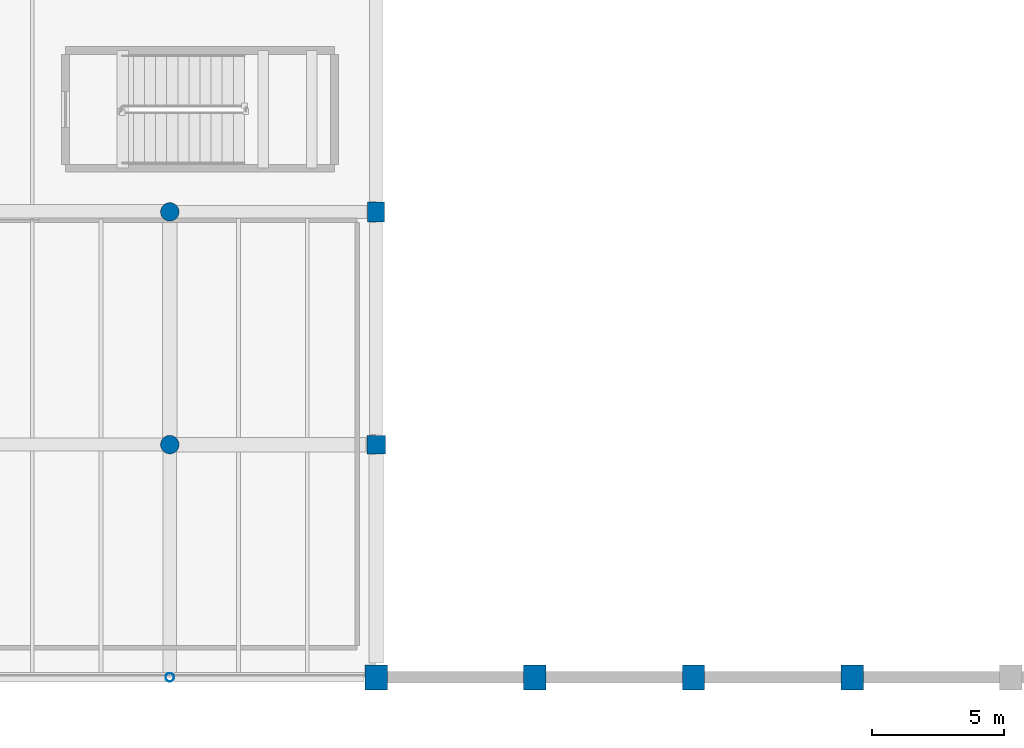
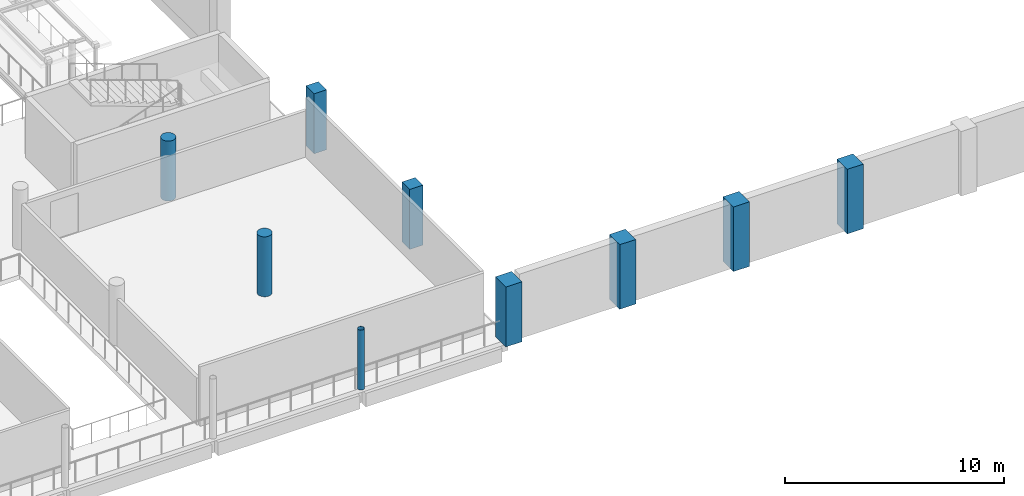
# One storey, part 5 of 75: 9 columns.
"""IFC4 building model written with IfcOpenShell, lengths in metres."""

from ifc_helpers import new_model, si_unit, direction, frame, origin, origin_2d, place, context, subcontext, project, spatial, rectangle, circle, hollow_circle, extrude, material, material_profile, profile_set, type_object, element, save


model = new_model("IFC4")

# Units and contexts
model_context = context("Model", 3, precision=1e-05, world=origin(), true_north=direction((0.0, 1.0)))
body_context = subcontext(model_context, "Body", "Model", "MODEL_VIEW")
ifc_project = project(units=[si_unit("LENGTHUNIT", "METRE"), si_unit("AREAUNIT", "SQUARE_METRE"), si_unit("VOLUMEUNIT", "CUBIC_METRE"), si_unit("PLANEANGLEUNIT", "RADIAN"), si_unit("MASSUNIT", "GRAM", prefix="KILO")], contexts=[model_context])

# Site, building, storey
site_placement = place(None, origin())
site = spatial("IfcSite", under=ifc_project, at=site_placement, CompositionType="ELEMENT")
building_placement = place(site_placement, origin())
building = spatial("IfcBuilding", under=site, at=building_placement, Name="Varnakota Cinema and Media Centre", CompositionType="ELEMENT")
storey_placement = place(building_placement, frame((0.0, 0.0, 8.39990234375)))
storey = spatial("IfcBuildingStorey", under=building, at=storey_placement, Name="L02", CompositionType="ELEMENT", Elevation=8.39990234375)

# Columns
ifc_material_1 = material(Name="Concrete M40", Category="concrete")
ifc_material_profile_1 = material_profile(ifc_material_1, rectangle(XDim=0.64990234375, YDim=0.75, at=origin_2d()), Name="RC 650x750")
ifc_profile_set_1 = profile_set([ifc_material_profile_1], Name="Concrete M40")
column_type_1 = type_object("IfcColumnType", Name="COL-RC-650x750", PredefinedType="COLUMN", material=ifc_profile_set_1)
column_1_placement = place(storey_placement, frame((75.0, 17.60009765625, 0.0), z_axis=(0.0, 0.0, 1.0), x_axis=(1.0, 0.0, 0.0)))
element("IfcColumn", 1, at=column_1_placement, inside=storey, type_object=column_type_1, Name="L02 column K/3", PredefinedType="COLUMN", context=body_context, shape_type="SweptSolid", body=[
    extrude(rectangle(XDim=0.64990234375, YDim=0.75, at=origin_2d()), origin(), (0.0, 0.0, 1.0), 3.340087890625),
])
ifc_material_2 = material(Name="Concrete M40", Category="concrete")
ifc_material_profile_2 = material_profile(ifc_material_2, rectangle(XDim=0.699951171875, YDim=0.699951171875, at=origin_2d()), Name="RC 700x700")
ifc_profile_set_2 = profile_set([ifc_material_profile_2], Name="Concrete M40")
column_type_2 = type_object("IfcColumnType", Name="COL-RC-700x700", PredefinedType="COLUMN", material=ifc_profile_set_2)
column_2_placement = place(storey_placement, frame((75.0, 8.800048828125, 0.0), z_axis=(0.0, 0.0, 1.0), x_axis=(1.0, 0.0, 0.0)))
element("IfcColumn", 2, at=column_2_placement, inside=storey, type_object=column_type_2, Name="L02 column K/2", PredefinedType="COLUMN", context=body_context, shape_type="SweptSolid", body=[
    extrude(rectangle(XDim=0.699951171875, YDim=0.699951171875, at=origin_2d()), origin(), (0.0, 0.0, 1.0), 3.340087890625),
])
ifc_material_3 = material(Name="Concrete M50", Category="concrete")
ifc_material_profile_3 = material_profile(ifc_material_3, rectangle(XDim=0.85009765625, YDim=0.949951171875, at=origin_2d()), Name="RC 850x950")
ifc_profile_set_3 = profile_set([ifc_material_profile_3], Name="Concrete M50")
column_type_3 = type_object("IfcColumnType", Name="COL-RC-850x950", PredefinedType="COLUMN", material=ifc_profile_set_3)
column_3_placement = place(storey_placement, frame((75.0, 0.0, 0.0), z_axis=(0.0, 0.0, 1.0), x_axis=(1.0, 0.0, 0.0)))
element("IfcColumn", 3, at=column_3_placement, inside=storey, type_object=column_type_3, Name="L02 column K/1", PredefinedType="COLUMN", context=body_context, shape_type="SweptSolid", body=[
    extrude(rectangle(XDim=0.85009765625, YDim=0.949951171875, at=origin_2d()), origin(), (0.0, 0.0, 1.0), 3.340087890625),
])
for number, where, z_axis, x_axis, name in (
    (4, (81.0, 0.0, 0.0), (0.0, 0.0, 1.0), (1.0, 0.0, 0.0), "L02 column L/1"),
    (5, (87.0, 0.0, 0.0), (0.0, 0.0, 1.0), (1.0, 0.0, 0.0), "L02 column M/1"),
    (6, (93.0, 0.0, 0.0), (0.0, 0.0, 1.0), (1.0, 0.0, 0.0), "L02 column N/1"),
):
    element("IfcColumn", number, at=place(storey_placement, frame(where, z_axis=z_axis, x_axis=x_axis)), inside=storey, type_object=column_type_3, Name=name, PredefinedType="COLUMN", context=body_context, shape_type="SweptSolid", body=[
        extrude(rectangle(XDim=0.85009765625, YDim=0.949951171875, at=origin_2d()), origin(), (0.0, 0.0, 1.0), 3.60009765625),
    ])
ifc_material_4 = material(Name="Concrete M40", Category="concrete")
ifc_material_profile_4 = material_profile(ifc_material_4, circle(Radius=0.35009765625, at=origin_2d()), Name="RC D700")
ifc_profile_set_4 = profile_set([ifc_material_profile_4], Name="Concrete M40")
column_type_4 = type_object("IfcColumnType", Name="COL-RC-D700", PredefinedType="COLUMN", material=ifc_profile_set_4)
for number, where, z_axis, x_axis, name in (
    (7, (67.199951171875, 8.800048828125, 0.0), (0.0, 0.0, 1.0), (1.0, 0.0, 0.0), "L02 column J/2"),
    (8, (67.199951171875, 17.60009765625, 0.0), (0.0, 0.0, 1.0), (1.0, 0.0, 0.0), "L02 column J/3"),
):
    element("IfcColumn", number, at=place(storey_placement, frame(where, z_axis=z_axis, x_axis=x_axis)), inside=storey, type_object=column_type_4, Name=name, PredefinedType="COLUMN", context=body_context, shape_type="SweptSolid", body=[
        extrude(circle(Radius=0.35009765625, at=origin_2d()), origin(), (0.0, 0.0, 1.0), 3.340087890625),
    ])
ifc_material_5 = material(Name="Structural steel S355 (YSt 355)", Category="steel")
ifc_material_profile_5 = material_profile(ifc_material_5, hollow_circle(Radius=0.161865234375, WallThickness=0.010009765625, at=origin_2d()), Name="CHS 323.9x10.0")
ifc_profile_set_5 = profile_set([ifc_material_profile_5], Name="Structural steel S355 (YSt 355)")
column_type_5 = type_object("IfcColumnType", Name="COL-ST-CHS324", PredefinedType="COLUMN", material=ifc_profile_set_5)
column_4_placement = place(storey_placement, frame((67.199951171875, 0.0, 0.0), z_axis=(0.0, 0.0, 1.0), x_axis=(1.0, 0.0, 0.0)))
element("IfcColumn", 9, at=column_4_placement, inside=storey, type_object=column_type_5, Name="L02 column J/1", PredefinedType="COLUMN", context=body_context, shape_type="SweptSolid", body=[
    extrude(hollow_circle(Radius=0.161865234375, WallThickness=0.010009765625, at=origin_2d()), origin(), (0.0, 0.0, 1.0), 3.340087890625),
])

save(model, "model.ifc")
